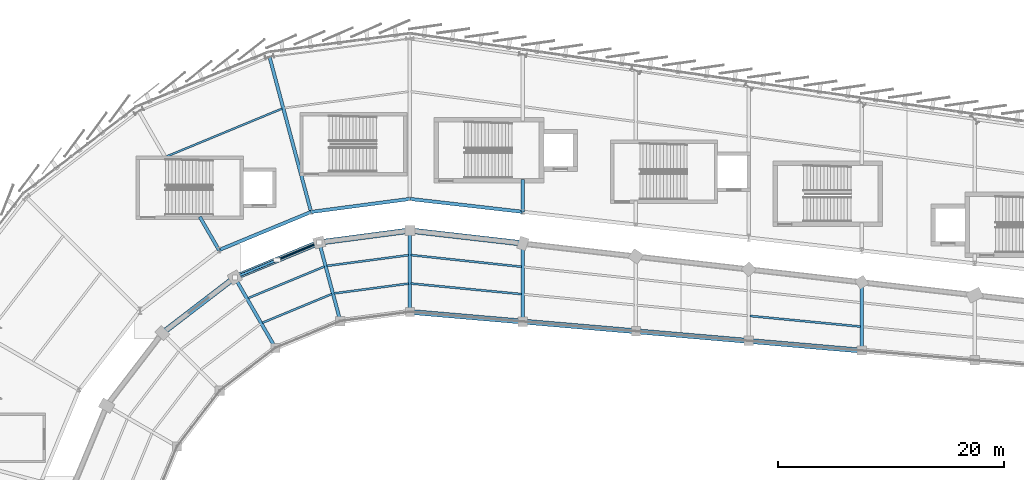
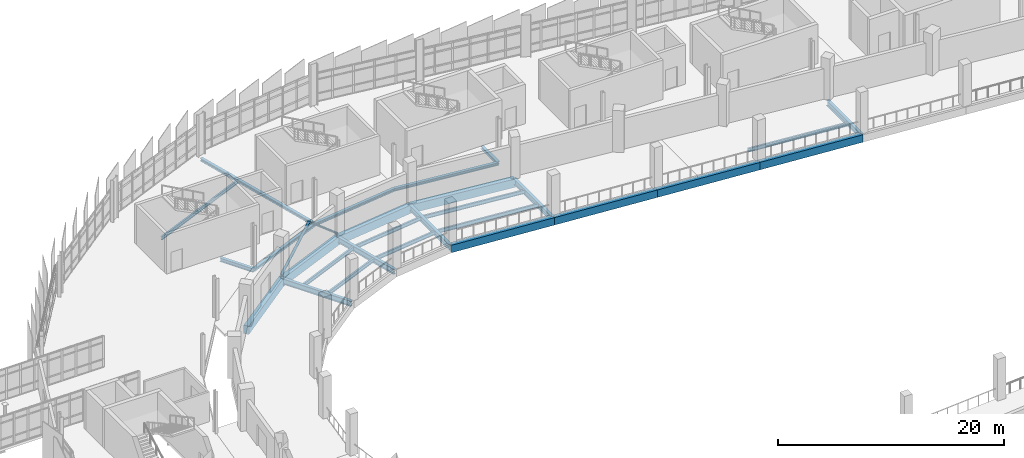
# One storey, part 56 of 125: 27 beams, 2 members.
"""IFC4 building model written with IfcOpenShell, lengths in metres."""

import ifcopenshell
import ifcopenshell.guid

model = None  # the IFC model being written
_history = None  # IfcOwnerHistory: only IFC2X3 demands one
_inside = {}  # id of a spatial element -> (the spatial element, [elements in it])
_under = {}  # id of a project, library or spatial element -> (it, [spatial elements below it])
_declared = {}  # id of a project -> (the project, [libraries it declares])
_typed = {}  # id of a type object -> (the type object, [elements of that type])
_made_of = {}  # id of a material, layer set ... -> (it, [elements and type objects made of it])


def new_model(schema):
    """Start an empty IFC model of exactly this schema.

    Asked for "IFC4X3", IfcOpenShell would pick the latest addendum, in which some entities
    have other attributes; the version numbers below select the first issue.
    IFC2X3 requires an IfcOwnerHistory on every rooted entity: one is made here for all.
    """
    global model, _history
    if schema == "IFC4X3":
        model = ifcopenshell.file(schema_version=(4, 3, 0, 0))
    else:
        model = ifcopenshell.file(schema=schema)
    _inside.clear()
    _under.clear()
    _declared.clear()
    _typed.clear()
    _made_of.clear()
    _history = None
    if model.schema == "IFC2X3":
        org = make("IfcOrganization", Name="unknown")
        user = make(
            "IfcPersonAndOrganization",
            ThePerson=make("IfcPerson", FamilyName="unknown"),
            TheOrganization=org,
        )
        app = make(
            "IfcApplication",
            ApplicationDeveloper=org,
            Version="unknown",
            ApplicationFullName="unknown",
            ApplicationIdentifier="unknown",
        )
        _history = make(
            "IfcOwnerHistory",
            OwningUser=user,
            OwningApplication=app,
            ChangeAction="ADDED",
            CreationDate=0,
        )
    return model


def make(cls, **values):
    """One entity of the class cls with the attributes given. An attribute that is None is left unset."""
    return model.create_entity(
        cls, **{name: value for name, value in values.items() if value is not None}
    )


def rooted(cls, **values):
    """An entity with a GlobalId (a new one), such as an element, a storey or a relation."""
    return make(cls, GlobalId=ifcopenshell.guid.new(), OwnerHistory=_history, **values)


def si_unit(unit_type, name, prefix=None):
    """IfcSIUnit, for example si_unit("LENGTHUNIT", "METRE", prefix="MILLI")."""
    return make("IfcSIUnit", UnitType=unit_type, Prefix=prefix, Name=name)


def assignment(units):
    """IfcUnitAssignment: the units of a project."""
    return None if units is None else make("IfcUnitAssignment", Units=units)


def point(xyz):
    """IfcCartesianPoint."""
    return None if xyz is None else make("IfcCartesianPoint", Coordinates=xyz)


def direction(xyz):
    """IfcDirection."""
    return None if xyz is None else make("IfcDirection", DirectionRatios=xyz)


def frame(location, z_axis=None, x_axis=None):
    """IfcAxis2Placement3D, a coordinate frame: its origin and axes. An axis left out is left unset."""
    return make(
        "IfcAxis2Placement3D",
        Location=point(location),
        Axis=direction(z_axis),
        RefDirection=direction(x_axis),
    )


def frame_2d(location, x_axis=None):
    """IfcAxis2Placement2D, a coordinate frame in the plane: its origin and x axis."""
    return make(
        "IfcAxis2Placement2D", Location=point(location), RefDirection=direction(x_axis)
    )


def origin():
    """The frame at (0, 0, 0) with its axes left unset."""
    return frame((0.0, 0.0, 0.0))


def origin_2d():
    """The frame at (0, 0) in the plane with its x axis left unset."""
    return frame_2d((0.0, 0.0))


def place(relative_to, where):
    """IfcLocalPlacement: puts the frame where relative to a parent placement (None: the world)."""
    return make(
        "IfcLocalPlacement", PlacementRelTo=relative_to, RelativePlacement=where
    )


def context(
    kind, dimensions, precision=None, world=None, true_north=None, identifier=None
):
    """IfcGeometricRepresentationContext, for example the 3D "Model" context."""
    return make(
        "IfcGeometricRepresentationContext",
        ContextIdentifier=identifier,
        ContextType=kind,
        CoordinateSpaceDimension=dimensions,
        Precision=precision,
        WorldCoordinateSystem=world,
        TrueNorth=true_north,
    )


def subcontext(parent, identifier, kind, view, scale=None):
    """IfcGeometricRepresentationSubContext, for example "Body" below "Model"."""
    return make(
        "IfcGeometricRepresentationSubContext",
        ContextIdentifier=identifier,
        ContextType=kind,
        ParentContext=parent,
        TargetScale=scale,
        TargetView=view,
    )


def project(units=None, contexts=None):
    """IfcProject with its units and contexts."""
    return rooted(
        "IfcProject",
        Name="project",
        RepresentationContexts=contexts,
        UnitsInContext=assignment(units),
    )


def spatial(cls, under=None, at=None, **own):
    """A site, building, storey or space (cls), placed at a placement, below another one or the project."""
    s = rooted(cls, ObjectPlacement=at, **own)
    if under is not None:
        _under.setdefault(under.id(), (under, []))[1].append(s)
    return s


def profile(cls, at=None, kind="AREA", **sizes):
    """A parametric profile (cls). Its sizes go by their IFC names, for example OverallWidth=200.0."""
    return make(cls, ProfileType=kind, Position=at, **sizes)


def rectangle(**sizes):
    """IfcRectangleProfileDef."""
    return profile("IfcRectangleProfileDef", **sizes)


def hollow_circle(**sizes):
    """IfcCircleHollowProfileDef."""
    return profile("IfcCircleHollowProfileDef", **sizes)


def i_section(**sizes):
    """IfcIShapeProfileDef."""
    return profile("IfcIShapeProfileDef", **sizes)


def extrude(swept, where, along, depth):
    """IfcExtrudedAreaSolid: the profile swept, set in the frame where, extruded along a direction by depth."""
    return make(
        "IfcExtrudedAreaSolid",
        SweptArea=swept,
        Position=where,
        ExtrudedDirection=direction(along),
        Depth=depth,
    )


def shape(context_of_items, identifier, shape_type, items):
    """IfcShapeRepresentation: the items that make up one representation, for example the "Body"."""
    return make(
        "IfcShapeRepresentation",
        ContextOfItems=context_of_items,
        RepresentationIdentifier=identifier,
        RepresentationType=shape_type,
        Items=items,
    )


def material(Name=None, Category=None):
    """IfcMaterial."""
    return make("IfcMaterial", Name=Name, Category=Category)


def material_profile(
    of_material, cross_section, Name=None, Category=None, Priority=None
):
    """IfcMaterialProfile: a cross section and its material."""
    return make(
        "IfcMaterialProfile",
        Name=Name,
        Material=of_material,
        Profile=cross_section,
        Priority=Priority,
        Category=Category,
    )


def profile_set(profiles, Name=None, composite=None):
    """IfcMaterialProfileSet."""
    return make(
        "IfcMaterialProfileSet",
        Name=Name,
        MaterialProfiles=profiles,
        CompositeProfile=composite,
    )


def made_of(thing, what):
    """Note that an element or type object is made of a material, layer set ...; save() writes the relation."""
    if what is not None:
        _made_of.setdefault(what.id(), (what, []))[1].append(thing)
    return thing


def type_object(cls, material=None, **own):
    """A type object (cls), such as IfcWallType, which elements share."""
    return made_of(rooted(cls, **own), material)


def element(
    cls,
    number,
    at=None,
    inside=None,
    cuts=None,
    type_object=None,
    material=None,
    context=None,
    identifier="Body",
    shape_type=None,
    held_by="IfcProductDefinitionShape",
    body=None,
    shapes=None,
    **own,
):
    """One element of the class cls, such as IfcWall. Its Tag is "e" and its number.

    at: its placement. inside: the storey or other place that contains it. cuts: it is an
    opening in that element (IfcRelVoidsElement). A single representation is given by context,
    identifier, shape_type and body (its items); several are given by shapes. held_by: the class
    of the entity that holds the representations. save() writes the other relations.
    """
    e = rooted(cls, Tag="e%d" % number, ObjectPlacement=at, **own)
    if body is not None:
        shapes = [shape(context, identifier, shape_type, body)]
    if shapes is not None:
        e.Representation = make(held_by, Representations=shapes)
    if inside is not None:
        _inside.setdefault(inside.id(), (inside, []))[1].append(e)
    if cuts is not None:
        rooted(
            "IfcRelVoidsElement", RelatingBuildingElement=cuts, RelatedOpeningElement=e
        )
    if type_object is not None:
        _typed.setdefault(type_object.id(), (type_object, []))[1].append(e)
    return made_of(e, material)


def aggregate(whole, parts):
    """IfcRelAggregates: a whole, such as a stair, and the parts it consists of."""
    return rooted("IfcRelAggregates", RelatingObject=whole, RelatedObjects=parts)


def save(model, path):
    """Write the relations noted so far, then the file.

    IfcRelAggregates (storeys below a building ...), IfcRelContainedInSpatialStructure (elements
    in a storey), IfcRelDefinesByType, IfcRelAssociatesMaterial and IfcRelDeclares: one each for
    every whole, place, type object, material and project.
    """
    for whole, parts in _under.values():
        aggregate(whole, parts)
    for where, things in _inside.values():
        rooted(
            "IfcRelContainedInSpatialStructure",
            RelatedElements=things,
            RelatingStructure=where,
        )
    for kind, things in _typed.values():
        rooted("IfcRelDefinesByType", RelatedObjects=things, RelatingType=kind)
    for what, things in _made_of.values():
        rooted("IfcRelAssociatesMaterial", RelatedObjects=things, RelatingMaterial=what)
    for by, libraries in _declared.values():
        rooted("IfcRelDeclares", RelatingContext=by, RelatedDefinitions=libraries)
    model.write(path)


model = new_model("IFC4")

# Units and contexts
model_context = context("Model", 3, precision=1e-05, world=origin(), true_north=direction((0.0, 1.0)))
body_context = subcontext(model_context, "Body", "Model", "MODEL_VIEW")
ifc_project = project(units=[si_unit("LENGTHUNIT", "METRE"), si_unit("AREAUNIT", "SQUARE_METRE"), si_unit("VOLUMEUNIT", "CUBIC_METRE"), si_unit("PLANEANGLEUNIT", "RADIAN"), si_unit("MASSUNIT", "GRAM", prefix="KILO")], contexts=[model_context])

# Site, building, storey
site_placement = place(None, origin())
site = spatial("IfcSite", under=ifc_project, at=site_placement, CompositionType="ELEMENT")
building_placement = place(site_placement, origin())
building = spatial("IfcBuilding", under=site, at=building_placement, Name="Sohan Crest Arena", CompositionType="ELEMENT")
storey_placement = place(building_placement, frame((0.0, 0.0, 9.0)))
storey = spatial("IfcBuildingStorey", under=building, at=storey_placement, Name="L02", CompositionType="ELEMENT", Elevation=9.0)

# Beams
ifc_material_1 = material(Name="Steel S355", Category="steel")
ifc_material_profile_1 = material_profile(ifc_material_1, i_section(OverallWidth=0.169921875, OverallDepth=0.360107421875, WebThickness=0.008056640625, FlangeThickness=0.0126953125, at=origin_2d()), Name="IPE 360")
ifc_profile_set_1 = profile_set([ifc_material_profile_1], Name="Steel S355")
beam_type_1 = type_object("IfcBeamType", Name="STR-BM-B02", PredefinedType="JOIST", material=ifc_profile_set_1)
beam_1_placement = place(storey_placement, frame((86.68798828125, 119.7958984375, -0.429931640625), z_axis=(-0.923874316241, -0.382696025312, 0.0), x_axis=(0.382696025312, -0.923874316241, 0.0)))
element("IfcBeam", 1, at=beam_1_placement, inside=storey, type_object=beam_type_1, Name="Structural beam J-L02-1252", PredefinedType="JOIST", context=body_context, shape_type="SweptSolid", body=[
    extrude(i_section(OverallWidth=0.169921875, OverallDepth=0.360107421875, WebThickness=0.008056640625, FlangeThickness=0.0126953125, at=origin_2d()), origin(), (0.0, 0.0, 1.0), 11.0869140625),
])
ifc_material_profile_2 = material_profile(ifc_material_1, i_section(OverallWidth=0.179931640625, OverallDepth=0.39990234375, WebThickness=0.008544921875, FlangeThickness=0.013427734375, at=origin_2d()), Name="IPE 400")
ifc_profile_set_2 = profile_set([ifc_material_profile_2], Name="Steel S355")
beam_type_2 = type_object("IfcBeamType", Name="STR-BM-B03", PredefinedType="JOIST", material=ifc_profile_set_2)
beam_2_placement = place(storey_placement, frame((97.89111328125, 104.305908203125, -0.449951171875), z_axis=(-0.99142966471, -0.130641570465, 0.0), x_axis=(0.130641570465, -0.99142966471, 0.0)))
element("IfcBeam", 2, at=beam_2_placement, inside=storey, type_object=beam_type_2, Name="Structural beam J-L02-0072", PredefinedType="JOIST", context=body_context, shape_type="SweptSolid", body=[
    extrude(i_section(OverallWidth=0.179931640625, OverallDepth=0.39990234375, WebThickness=0.008544921875, FlangeThickness=0.013427734375, at=origin_2d()), origin(), (0.0, 0.0, 1.0), 6.65087890625),
])
beam_3_placement = place(storey_placement, frame((97.89111328125, 106.825927734375, -0.449951171875), z_axis=(-0.991446789819, -0.13051154339, 0.0), x_axis=(0.13051154339, -0.991446789819, 0.0)))
element("IfcBeam", 3, at=beam_3_placement, inside=storey, type_object=beam_type_2, Name="Structural beam J-L02-0073", PredefinedType="JOIST", context=body_context, shape_type="SweptSolid", body=[
    extrude(i_section(OverallWidth=0.179931640625, OverallDepth=0.39990234375, WebThickness=0.008544921875, FlangeThickness=0.013427734375, at=origin_2d()), origin(), (0.0, 0.0, 1.0), 7.30859375),
])
beam_4_placement = place(storey_placement, frame((91.0859375, 103.381103515625, -0.449951171875), z_axis=(-0.923867831396, -0.382711680136, 0.0), x_axis=(0.382711680136, -0.923867831396, 0.0)))
element("IfcBeam", 4, at=beam_4_placement, inside=storey, type_object=beam_type_2, Name="Structural beam J-L02-0094", PredefinedType="JOIST", context=body_context, shape_type="SweptSolid", body=[
    extrude(i_section(OverallWidth=0.179931640625, OverallDepth=0.39990234375, WebThickness=0.008544921875, FlangeThickness=0.013427734375, at=origin_2d()), origin(), (0.0, 0.0, 1.0), 6.650390625),
])
beam_5_placement = place(storey_placement, frame((90.43408203125, 105.81591796875, -0.449951171875), z_axis=(-0.923831158032, -0.382800197818, 0.0), x_axis=(0.382800197818, -0.923831158032, 0.0)))
element("IfcBeam", 5, at=beam_5_placement, inside=storey, type_object=beam_type_2, Name="Structural beam J-L02-0095", PredefinedType="JOIST", context=body_context, shape_type="SweptSolid", body=[
    extrude(i_section(OverallWidth=0.179931640625, OverallDepth=0.39990234375, WebThickness=0.008544921875, FlangeThickness=0.013427734375, at=origin_2d()), origin(), (0.0, 0.0, 1.0), 7.308837890625),
])
beam_6_placement = place(storey_placement, frame((137.89111328125, 100.5009765625, -0.449951171875), z_axis=(-0.995434302208, 0.095449201085, 0.0), x_axis=(-0.095449201085, -0.995434302208, 0.0)))
element("IfcBeam", 6, at=beam_6_placement, inside=storey, type_object=beam_type_2, Name="Structural beam J-L02-0738", PredefinedType="JOIST", context=body_context, shape_type="SweptSolid", body=[
    extrude(i_section(OverallWidth=0.179931640625, OverallDepth=0.39990234375, WebThickness=0.008544921875, FlangeThickness=0.013427734375, at=origin_2d()), origin(), (0.0, 0.0, 1.0), 9.8271484375),
])
beam_7_placement = place(storey_placement, frame((107.89111328125, 103.373046875, -0.449951171875), z_axis=(-0.995443739336, 0.095350730547, 0.0), x_axis=(-0.095350730547, -0.995443739336, 0.0)))
element("IfcBeam", 7, at=beam_7_placement, inside=storey, type_object=beam_type_2, Name="Structural beam J-L02-0804", PredefinedType="JOIST", context=body_context, shape_type="SweptSolid", body=[
    extrude(i_section(OverallWidth=0.179931640625, OverallDepth=0.39990234375, WebThickness=0.008544921875, FlangeThickness=0.013427734375, at=origin_2d()), origin(), (0.0, 0.0, 1.0), 9.826904296875),
])
beam_8_placement = place(storey_placement, frame((107.89111328125, 105.794921875, -0.449951171875), z_axis=(-0.994470991784, 0.105011649352, 0.0), x_axis=(-0.105011649352, -0.994470991784, 0.0)))
element("IfcBeam", 8, at=beam_8_placement, inside=storey, type_object=beam_type_2, Name="Structural beam J-L02-0805", PredefinedType="JOIST", context=body_context, shape_type="SweptSolid", body=[
    extrude(i_section(OverallWidth=0.179931640625, OverallDepth=0.39990234375, WebThickness=0.008544921875, FlangeThickness=0.013427734375, at=origin_2d()), origin(), (0.0, 0.0, 1.0), 9.836669921875),
])
ifc_material_profile_3 = material_profile(ifc_material_1, i_section(OverallWidth=0.300048828125, OverallDepth=0.590087890625, WebThickness=0.012939453125, FlangeThickness=0.02490234375, at=origin_2d()), Name="HEA 600")
ifc_profile_set_3 = profile_set([ifc_material_profile_3], Name="Steel S355")
beam_type_3 = type_object("IfcBeamType", Name="STR-BM-B11", PredefinedType="BEAM", material=ifc_profile_set_3)
beam_9_placement = place(storey_placement, frame((98.0, 101.800048828125, -0.544921875), z_axis=(0.0, 1.0, 0.0), x_axis=(-1.0, 0.0, 0.0)))
element("IfcBeam", 9, at=beam_9_placement, inside=storey, type_object=beam_type_3, Name="Structural beam G-L02-0071", PredefinedType="BEAM", context=body_context, shape_type="SweptSolid", body=[
    extrude(i_section(OverallWidth=0.300048828125, OverallDepth=0.590087890625, WebThickness=0.012939453125, FlangeThickness=0.02490234375, at=origin_2d()), origin(), (0.0, 0.0, 1.0), 7.199951171875),
])
beam_10_placement = place(storey_placement, frame((91.840087890625, 100.989013671875, -0.544921875), z_axis=(-0.258745124417, 0.965945630245, 0.0), x_axis=(-0.965945630245, -0.258745124417, 0.0)))
element("IfcBeam", 10, at=beam_10_placement, inside=storey, type_object=beam_type_3, Name="Structural beam G-L02-0093", PredefinedType="BEAM", context=body_context, shape_type="SweptSolid", body=[
    extrude(i_section(OverallWidth=0.300048828125, OverallDepth=0.590087890625, WebThickness=0.012939453125, FlangeThickness=0.02490234375, at=origin_2d()), origin(), (0.0, 0.0, 1.0), 7.2001953125),
])
beam_11_placement = place(storey_placement, frame((86.10009765625, 98.611083984375, -0.544921875), z_axis=(-0.499982693035, 0.866035395735, 0.0), x_axis=(-0.866035395735, -0.499982693035, 0.0)))
element("IfcBeam", 11, at=beam_11_placement, inside=storey, type_object=beam_type_3, Name="Structural beam G-L02-0115", PredefinedType="BEAM", context=body_context, shape_type="SweptSolid", body=[
    extrude(i_section(OverallWidth=0.300048828125, OverallDepth=0.590087890625, WebThickness=0.012939453125, FlangeThickness=0.02490234375, at=origin_2d()), origin(), (0.0, 0.0, 1.0), 7.200439453125),
])
beam_12_placement = place(storey_placement, frame((138.0, 98.37109375, -0.544921875), z_axis=(0.0, 1.0, 0.0), x_axis=(-1.0, 0.0, 0.0)))
element("IfcBeam", 12, at=beam_12_placement, inside=storey, type_object=beam_type_3, Name="Structural beam G-L02-0737", PredefinedType="BEAM", context=body_context, shape_type="SweptSolid", body=[
    extrude(i_section(OverallWidth=0.300048828125, OverallDepth=0.590087890625, WebThickness=0.012939453125, FlangeThickness=0.02490234375, at=origin_2d()), origin(), (0.0, 0.0, 1.0), 6.057861328125),
])
beam_13_placement = place(storey_placement, frame((108.0, 100.943115234375, -0.544921875), z_axis=(0.0, 1.0, 0.0), x_axis=(-1.0, 0.0, 0.0)))
element("IfcBeam", 13, at=beam_13_placement, inside=storey, type_object=beam_type_3, Name="Structural beam G-L02-0803", PredefinedType="BEAM", context=body_context, shape_type="SweptSolid", body=[
    extrude(i_section(OverallWidth=0.300048828125, OverallDepth=0.590087890625, WebThickness=0.012939453125, FlangeThickness=0.02490234375, at=origin_2d()), origin(), (0.0, 0.0, 1.0), 6.913818359375),
])
ifc_material_profile_4 = material_profile(ifc_material_1, i_section(OverallWidth=0.300048828125, OverallDepth=0.300048828125, WebThickness=0.010986328125, FlangeThickness=0.01904296875, at=origin_2d()), Name="HEB 300")
ifc_profile_set_4 = profile_set([ifc_material_profile_4], Name="Steel S355")
beam_type_4 = type_object("IfcBeamType", Name="STR-BM-B12", PredefinedType="BEAM", material=ifc_profile_set_4)
beam_14_placement = place(storey_placement, frame((98.0, 111.800048828125, -0.39990234375), z_axis=(-0.991439032147, -0.130570461953, 0.0), x_axis=(0.130570461953, -0.991439032147, 0.0)))
element("IfcBeam", 14, at=beam_14_placement, inside=storey, type_object=beam_type_4, Name="Structural beam G-L02-1246", PredefinedType="BEAM", context=body_context, shape_type="SweptSolid", body=[
    extrude(i_section(OverallWidth=0.300048828125, OverallDepth=0.300048828125, WebThickness=0.010986328125, FlangeThickness=0.01904296875, at=origin_2d()), origin(), (0.0, 0.0, 1.0), 8.823486328125),
])
beam_15_placement = place(storey_placement, frame((89.251953125, 110.64794921875, -0.39990234375), z_axis=(-0.258808560729, 0.965928635508, 0.0), x_axis=(-0.965928635508, -0.258808560729, 0.0)))
element("IfcBeam", 15, at=beam_15_placement, inside=storey, type_object=beam_type_4, Name="Structural beam G-L02-1249", PredefinedType="BEAM", context=body_context, shape_type="SweptSolid", body=[
    extrude(i_section(OverallWidth=0.300048828125, OverallDepth=0.300048828125, WebThickness=0.010986328125, FlangeThickness=0.01904296875, at=origin_2d()), origin(), (0.0, 0.0, 1.0), 14.199951171875),
])
beam_16_placement = place(storey_placement, frame((89.251953125, 110.64794921875, -0.39990234375), z_axis=(-0.923904876385, -0.38262224111, 0.0), x_axis=(0.38262224111, -0.923904876385, 0.0)))
element("IfcBeam", 16, at=beam_16_placement, inside=storey, type_object=beam_type_4, Name="Structural beam G-L02-1250", PredefinedType="BEAM", context=body_context, shape_type="SweptSolid", body=[
    extrude(i_section(OverallWidth=0.300048828125, OverallDepth=0.300048828125, WebThickness=0.010986328125, FlangeThickness=0.01904296875, at=origin_2d()), origin(), (0.0, 0.0, 1.0), 8.8232421875),
])
beam_17_placement = place(storey_placement, frame((108.0, 110.656982421875, -0.39990234375), z_axis=(0.0, 1.0, 0.0), x_axis=(-1.0, 0.0, 0.0)))
element("IfcBeam", 17, at=beam_17_placement, inside=storey, type_object=beam_type_4, Name="Structural beam G-L02-1394", PredefinedType="BEAM", context=body_context, shape_type="SweptSolid", body=[
    extrude(i_section(OverallWidth=0.300048828125, OverallDepth=0.300048828125, WebThickness=0.010986328125, FlangeThickness=0.01904296875, at=origin_2d()), origin(), (0.0, 0.0, 1.0), 2.863037109375),
])
beam_18_placement = place(storey_placement, frame((108.0, 110.656982421875, -0.39990234375), z_axis=(-0.99353032697, 0.113567114035, 0.0), x_axis=(-0.113567114035, -0.99353032697, 0.0)))
element("IfcBeam", 18, at=beam_18_placement, inside=storey, type_object=beam_type_4, Name="Structural beam G-L02-1396", PredefinedType="BEAM", context=body_context, shape_type="SweptSolid", body=[
    extrude(i_section(OverallWidth=0.300048828125, OverallDepth=0.300048828125, WebThickness=0.010986328125, FlangeThickness=0.01904296875, at=origin_2d()), origin(), (0.0, 0.0, 1.0), 10.065185546875),
])
ifc_material_profile_5 = material_profile(ifc_material_1, i_section(OverallWidth=0.300048828125, OverallDepth=0.39990234375, WebThickness=0.013427734375, FlangeThickness=0.02392578125, at=origin_2d()), Name="HEB 400")
ifc_profile_set_5 = profile_set([ifc_material_profile_5], Name="Steel S355")
beam_type_5 = type_object("IfcBeamType", Name="STR-BM-B13", PredefinedType="BEAM", material=ifc_profile_set_5)
beam_19_placement = place(storey_placement, frame((81.10009765625, 107.27197265625, -0.449951171875), z_axis=(-0.500026652407, 0.866010015463, 0.0), x_axis=(-0.866010015463, -0.500026652407, 0.0)))
element("IfcBeam", 19, at=beam_19_placement, inside=storey, type_object=beam_type_5, Name="Structural beam G-L02-1253", PredefinedType="BEAM", context=body_context, shape_type="SweptSolid", body=[
    extrude(i_section(OverallWidth=0.300048828125, OverallDepth=0.39990234375, WebThickness=0.013427734375, FlangeThickness=0.02392578125, at=origin_2d()), origin(), (0.0, 0.0, 1.0), 3.404052734375),
])
ifc_material_2 = material(Name="Concrete C40/50", Category="concrete")
ifc_material_profile_6 = material_profile(ifc_material_2, rectangle(XDim=0.449951171875, YDim=0.800048828125, at=origin_2d()), Name="RC-BM 450x800")
ifc_profile_set_6 = profile_set([ifc_material_profile_6], Name="Concrete C40/50")
beam_type_6 = type_object("IfcBeamType", Name="STR-BM-TB02", PredefinedType="BEAM", material=ifc_profile_set_6)
for number, where, z_axis, x_axis, name in (
    (20, (138.0, 98.37109375, -0.64990234375), (-0.996340141164, 0.085477032618, 0.0), (-0.085477032618, -0.996340141164, 0.0), "Structural beam TB-L02-0735"),
    (21, (128.0, 99.22900390625, -0.64990234375), (-0.996348422929, 0.085380443469, 0.0), (-0.085380443469, -0.996348422929, 0.0), "Structural beam TB-L02-0757"),
    (22, (118.0, 100.0859375, -0.64990234375), (-0.996346353353, 0.085404590982, 0.0), (-0.085404590982, -0.996346353353, 0.0), "Structural beam TB-L02-0779"),
    (23, (108.0, 100.943115234375, -0.64990234375), (-0.996348422929, 0.085380443469, 0.0), (-0.085380443469, -0.996348422929, 0.0), "Structural beam TB-L02-0801"),
):
    element("IfcBeam", number, at=place(storey_placement, frame(where, z_axis=z_axis, x_axis=x_axis)), inside=storey, type_object=beam_type_6, Name=name, PredefinedType="BEAM", context=body_context, shape_type="SweptSolid", body=[
        extrude(rectangle(XDim=0.449951171875, YDim=0.800048828125, at=origin_2d()), origin(), (0.0, 0.0, 1.0), 10.03662109375),
    ])
ifc_material_profile_7 = material_profile(ifc_material_2, rectangle(XDim=0.5, YDim=0.89990234375, at=origin_2d()), Name="RC-BM 500x900")
ifc_profile_set_7 = profile_set([ifc_material_profile_7], Name="Concrete C40/50")
beam_type_7 = type_object("IfcBeamType", Name="STR-BM-TB03", PredefinedType="BEAM", material=ifc_profile_set_7)
beam_20_placement = place(storey_placement, frame((98.0, 109.0, -0.699951171875), z_axis=(-0.99145018748, -0.130485730048, 0.0), x_axis=(0.130485730048, -0.99145018748, 0.0)))
element("IfcBeam", 24, at=beam_20_placement, inside=storey, type_object=beam_type_7, Name="Structural beam TB-L02-0070", PredefinedType="BEAM", context=body_context, shape_type="SweptSolid", body=[
    extrude(rectangle(XDim=0.5, YDim=0.89990234375, at=origin_2d()), origin(), (0.0, 0.0, 1.0), 8.092041015625),
])
beam_21_placement = place(storey_placement, frame((89.97705078125, 107.944091796875, -0.699951171875), z_axis=(-0.923876381497, -0.382691039498, 0.0), x_axis=(0.382691039498, -0.923876381497, 0.0)))
element("IfcBeam", 25, at=beam_21_placement, inside=storey, type_object=beam_type_7, Name="Structural beam TB-L02-0092", PredefinedType="BEAM", context=body_context, shape_type="SweptSolid", body=[
    extrude(rectangle(XDim=0.5, YDim=0.89990234375, at=origin_2d()), origin(), (0.0, 0.0, 1.0), 8.093017578125),
])
beam_22_placement = place(storey_placement, frame((82.5, 104.846923828125, -0.699951171875), z_axis=(-0.793304243257, -0.608825408167, 0.0), x_axis=(0.608825408167, -0.793304243257, 0.0)))
element("IfcBeam", 26, at=beam_22_placement, inside=storey, type_object=beam_type_7, Name="Structural beam TB-L02-0114", PredefinedType="BEAM", context=body_context, shape_type="SweptSolid", body=[
    extrude(rectangle(XDim=0.5, YDim=0.89990234375, at=origin_2d()), origin(), (0.0, 0.0, 1.0), 8.092529296875),
])
beam_23_placement = place(storey_placement, frame((108.0, 107.85693359375, -0.699951171875), z_axis=(-0.99353032697, 0.113567114035, 0.0), x_axis=(-0.113567114035, -0.99353032697, 0.0)))
element("IfcBeam", 27, at=beam_23_placement, inside=storey, type_object=beam_type_7, Name="Structural beam TB-L02-0802", PredefinedType="BEAM", context=body_context, shape_type="SweptSolid", body=[
    extrude(rectangle(XDim=0.5, YDim=0.89990234375, at=origin_2d()), origin(), (0.0, 0.0, 1.0), 10.065185546875),
])

# Members
ifc_material_profile_8 = material_profile(ifc_material_1, hollow_circle(Radius=0.109619140625, WallThickness=0.010009765625, at=origin_2d()), Name="CHS 219.1x10")
ifc_profile_set_8 = profile_set([ifc_material_profile_8], Name="Steel S355")
member_type_1 = type_object("IfcMemberType", Name="STR-MEM-BR01", PredefinedType="BRACE", material=ifc_profile_set_8)
member_1_placement = place(storey_placement, frame((89.97705078125, 107.944091796875, 0.0), z_axis=(-0.698697959822, -0.289545983611, 0.654205078179), x_axis=(0.38283670055, -0.923816031855, 0.0)))
element("IfcMember", 28, at=member_1_placement, inside=storey, type_object=member_type_1, Name="Concentric lateral chevron brace BR-005", PredefinedType="BRACE", context=body_context, shape_type="SweptSolid", body=[
    extrude(hollow_circle(Radius=0.109619140625, WallThickness=0.010009765625, at=origin_2d()), origin(), (0.0, 0.0, 1.0), 5.35009765625),
])
ifc_material_profile_9 = material_profile(ifc_material_1, hollow_circle(Radius=0.136474609375, WallThickness=0.012451171875, at=origin_2d()), Name="CHS 273x12.5")
ifc_profile_set_9 = profile_set([ifc_material_profile_9], Name="Steel S355")
member_type_2 = type_object("IfcMemberType", Name="STR-MEM-BR02", PredefinedType="BRACE", material=ifc_profile_set_9)
member_2_placement = place(storey_placement, frame((82.5, 104.846923828125, 0.0), z_axis=(0.698828281736, 0.289341830525, 0.654156202871), x_axis=(-0.382545387958, 0.923936700295, 0.0)))
element("IfcMember", 29, at=member_2_placement, inside=storey, type_object=member_type_2, Name="Concentric lateral chevron brace BR-006", PredefinedType="BRACE", context=body_context, shape_type="SweptSolid", body=[
    extrude(hollow_circle(Radius=0.136474609375, WallThickness=0.012451171875, at=origin_2d()), origin(), (0.0, 0.0, 1.0), 5.350341796875),
])

save(model, "model.ifc")
